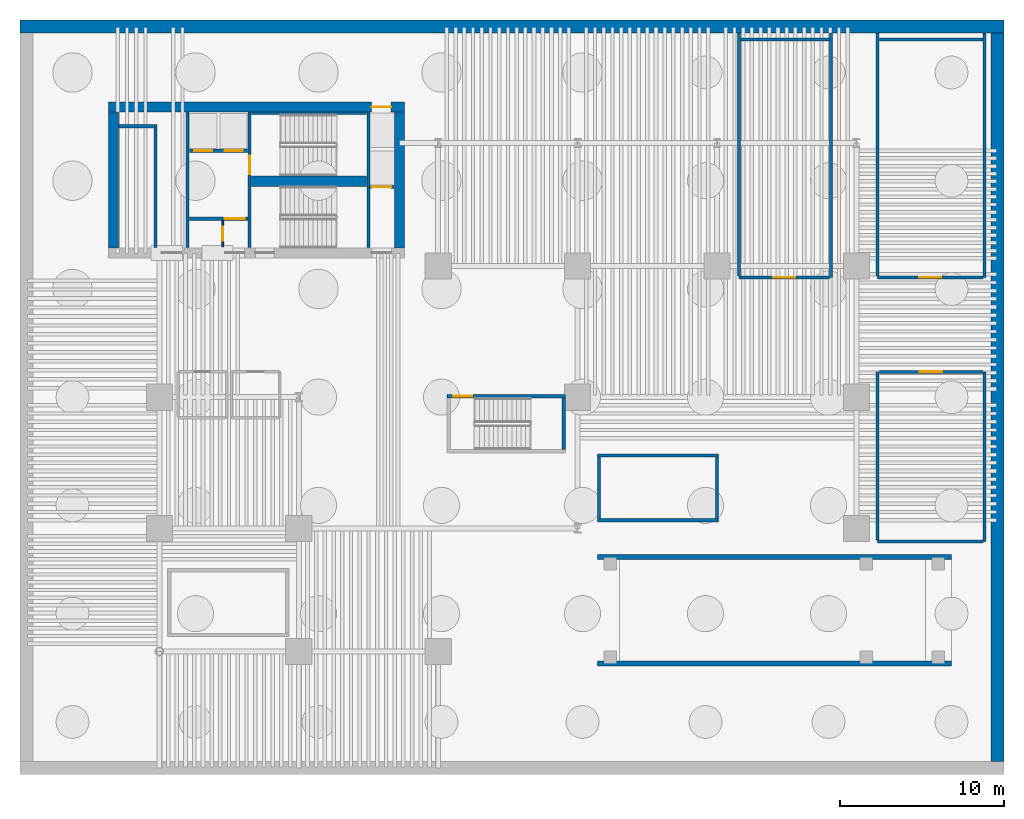
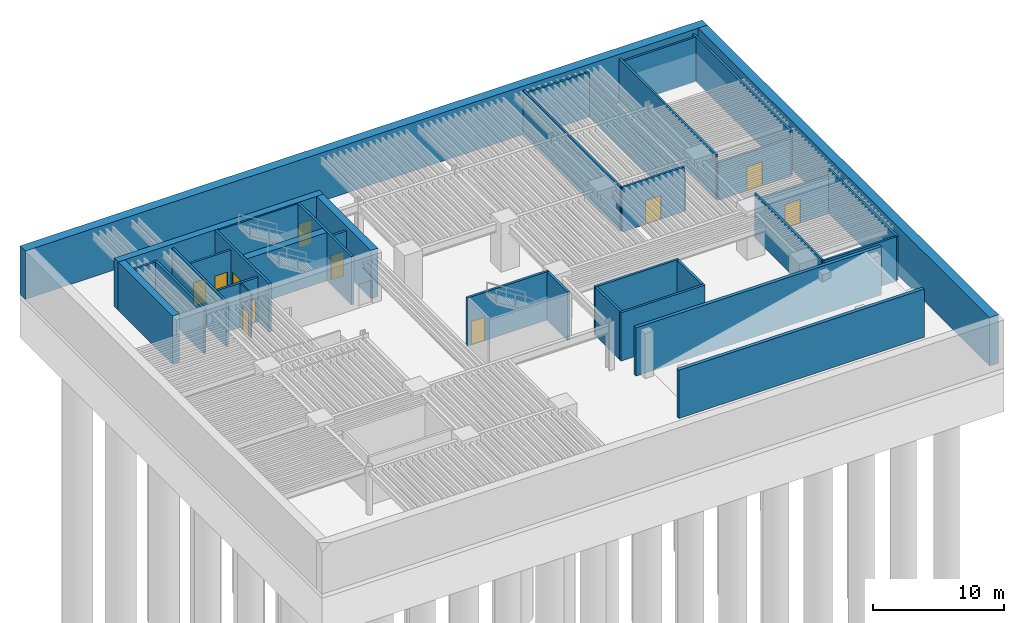
# One storey, part 5 of 11: 36 walls, 11 doors, 11 openings.
"""IFC4 building model written with IfcOpenShell, lengths in metres."""

from ifc_helpers import new_model, si_unit, direction, frame, frame_2d, origin, place, context, subcontext, project, spatial, rectangle, extrude, material, layer, layer_set, type_object, element, fill, save


model = new_model("IFC4")

# Units and contexts
model_context = context("Model", 3, precision=1e-05, world=origin(), true_north=direction((0.0, 1.0)))
body_context = subcontext(model_context, "Body", "Model", "MODEL_VIEW")
ifc_project = project(units=[si_unit("LENGTHUNIT", "METRE"), si_unit("AREAUNIT", "SQUARE_METRE"), si_unit("VOLUMEUNIT", "CUBIC_METRE"), si_unit("PLANEANGLEUNIT", "RADIAN"), si_unit("MASSUNIT", "GRAM", prefix="KILO")], contexts=[model_context])

# Site, building, storey
site_placement = place(None, origin())
site = spatial("IfcSite", under=ifc_project, at=site_placement, CompositionType="ELEMENT")
building_placement = place(site_placement, origin())
building = spatial("IfcBuilding", under=site, at=building_placement, Name="Caeloran Harvest Quay", CompositionType="ELEMENT")
storey_placement = place(building_placement, frame((0.0, 0.0, -18.0)))
storey = spatial("IfcBuildingStorey", under=building, at=storey_placement, Name="B04", CompositionType="ELEMENT", Elevation=-18.0)

# Wall, opening, door
ifc_material_1 = material(Name="Fire-Resisting Gypsum Core Riser Partition", Category="gypsum")
ifc_layer_1 = layer(ifc_material_1, 0.10009765625, Name="Fire-Resisting Gypsum Core Riser Partition")
ifc_layer_set_1 = layer_set([ifc_layer_1], Name="Fire-Resisting Gypsum Core Riser Partition")
wall_type_1 = type_object("IfcWallType", Name="INT-WALL-PW-100", PredefinedType="PARTITIONING", material=ifc_layer_set_1)
wall_1_placement = place(storey_placement, frame((12.360107421875, 32.159912109375, 0.0), z_axis=(0.0, 0.0, 1.0), x_axis=(0.0, 1.0, 0.0)))
wall_1 = element("IfcWall", 1, at=wall_1_placement, inside=storey, type_object=wall_type_1, Name="B04 Core Store Partition Wall", PredefinedType="PARTITIONING", context=body_context, shape_type="SweptSolid", body=[
    extrude(rectangle(XDim=1.6201171875, YDim=0.10009765625, at=frame_2d((0.81005859375, 0.0))), origin(), (0.0, 0.0, 1.0), 4.135009765625),
])
opening_1_placement = place(wall_1_placement, frame((0.3798828125, 0.0, 0.0)))
opening_1 = element("IfcOpeningElement", 2, at=opening_1_placement, cuts=wall_1, Name="Opening SV-01", PredefinedType="OPENING", context=body_context, shape_type="SweptSolid", body=[
    extrude(rectangle(XDim=0.85009765625, YDim=2.10009765625, at=frame_2d((0.425048828125, 1.050048828125))), frame((0.0, 0.06005859375, 0.0), z_axis=(0.0, -1.0, 0.0), x_axis=(1.0, 0.0, 0.0)), (0.0, 0.0, 1.0), 0.1201171875),
])
ifc_material_2 = material(Name="Galvanized Painted Steel", Category="steel")
door_type_1 = type_object("IfcDoorType", Name="INTDOOR-SV-01", OperationType="NOTDEFINED", PredefinedType="DOOR", material=ifc_material_2)
door_1_placement = place(opening_1_placement, origin())
door_1 = element("IfcDoor", 3, at=door_1_placement, inside=storey, type_object=door_type_1, Name="B04 Core Service Room Access Door", OperationType="SINGLE_SWING_RIGHT", OverallHeight=2.10009765625, OverallWidth=0.85009765625, PredefinedType="DOOR", context=body_context, shape_type="SweptSolid", body=[
    extrude(rectangle(XDim=0.85009765625, YDim=2.10009765625, at=frame_2d((0.425048828125, 1.050048828125))), frame((0.0, 0.02490234375, 0.0), z_axis=(0.0, -1.0, 0.0), x_axis=(1.0, 0.0, 0.0)), (0.0, 0.0, 1.0), 0.050048828125),
])
fill(opening_1, door_1)

# Walls
ifc_material_3 = material(Name="Autoclaved Aerated Concrete Blockwork", Category="masonry")
ifc_layer_2 = layer(ifc_material_3, 0.179931640625, Name="Autoclaved Aerated Concrete Blockwork")
ifc_layer_set_2 = layer_set([ifc_layer_2], Name="Autoclaved Aerated Concrete Blockwork")
wall_type_2 = type_object("IfcWallType", Name="INT-WALL-PW-180", PredefinedType="PARTITIONING", material=ifc_layer_set_2)
wall_2_placement = place(storey_placement, frame((58.800048828125, 24.550048828125, 0.0), z_axis=(0.0, 0.0, 1.0), x_axis=(0.0, -1.0, 0.0)))
element("IfcWall", 4, at=wall_2_placement, inside=storey, type_object=wall_type_2, Name="Rainwater Harvesting Cistern and Greywater Tank Plant Partition Wall", PredefinedType="PARTITIONING", context=body_context, shape_type="SweptSolid", body=[
    extrude(rectangle(XDim=10.35009765625, YDim=0.179931640625, at=frame_2d((5.175048828125, 0.0))), origin(), (0.0, 0.0, 1.0), 4.135009765625),
])
wall_3_placement = place(storey_placement, frame((58.705078125, 14.199951171875, 0.0), z_axis=(0.0, 0.0, 1.0), x_axis=(-1.0, 0.0, 0.0)))
element("IfcWall", 5, at=wall_3_placement, inside=storey, type_object=wall_type_2, Name="Rainwater Harvesting Cistern and Greywater Tank Plant Partition Wall", PredefinedType="PARTITIONING", context=body_context, shape_type="SweptSolid", body=[
    extrude(rectangle(XDim=6.405029296875, YDim=0.179931640625, at=frame_2d((3.20263671875, 0.0))), origin(), (0.0, 0.0, 1.0), 4.135009765625),
])
wall_4_placement = place(storey_placement, frame((52.300048828125, 14.294921875, 0.0), z_axis=(0.0, 0.0, 1.0), x_axis=(0.0, 1.0, 0.0)))
element("IfcWall", 6, at=wall_4_placement, inside=storey, type_object=wall_type_2, Name="Rainwater Harvesting Cistern and Greywater Tank Plant Partition Wall", PredefinedType="PARTITIONING", context=body_context, shape_type="SweptSolid", body=[
    extrude(rectangle(XDim=10.255126953125, YDim=0.179931640625, at=frame_2d((5.12744140625, 0.0))), origin(), (0.0, 0.0, 1.0), 4.135009765625),
])

# Wall, opening, door
wall_5_placement = place(storey_placement, frame((52.39501953125, 24.550048828125, 0.0), z_axis=(0.0, 0.0, 1.0), x_axis=(1.0, 0.0, 0.0)))
wall_5 = element("IfcWall", 7, at=wall_5_placement, inside=storey, type_object=wall_type_2, Name="Rainwater Harvesting Cistern and Greywater Tank Plant Partition Wall", PredefinedType="PARTITIONING", context=body_context, shape_type="SweptSolid", body=[
    extrude(rectangle(XDim=6.31005859375, YDim=0.179931640625, at=frame_2d((3.155029296875, 0.0))), origin(), (0.0, 0.0, 1.0), 3.52001953125),
])
opening_2_placement = place(wall_5_placement, frame((2.47998046875, 0.0, 0.0)))
opening_2 = element("IfcOpeningElement", 8, at=opening_2_placement, cuts=wall_5, Name="Opening ID-02", PredefinedType="OPENING", context=body_context, shape_type="SweptSolid", body=[
    extrude(rectangle(XDim=1.35009765625, YDim=2.199951171875, at=frame_2d((0.675048828125, 1.10009765625))), frame((0.0, 0.10009765625, 0.0), z_axis=(0.0, -1.0, 0.0), x_axis=(1.0, 0.0, 0.0)), (0.0, 0.0, 1.0), 0.199951171875),
])
ifc_material_4 = material(Name="Powder-Coated Steel Acoustic Leaf", Category="steel")
door_type_2 = type_object("IfcDoorType", Name="INTDOOR-ID-02", OperationType="NOTDEFINED", PredefinedType="DOOR", material=ifc_material_4)
door_2_placement = place(opening_2_placement, origin())
door_2 = element("IfcDoor", 9, at=door_2_placement, inside=storey, type_object=door_type_2, Name="Rainwater Harvesting Cistern and Greywater Tank Plant Access Door", OperationType="SINGLE_SWING_LEFT", OverallHeight=2.199951171875, OverallWidth=1.35009765625, PredefinedType="DOOR", context=body_context, shape_type="SweptSolid", body=[
    extrude(rectangle(XDim=1.35009765625, YDim=2.199951171875, at=frame_2d((0.675048828125, 1.10009765625))), frame((0.0, 0.02490234375, 0.0), z_axis=(0.0, -1.0, 0.0), x_axis=(1.0, 0.0, 0.0)), (0.0, 0.0, 1.0), 0.050048828125),
])
fill(opening_2, door_2)

# Wall
wall_6_placement = place(storey_placement, frame((58.800048828125, 45.195068359375, 0.0), z_axis=(0.0, 0.0, 1.0), x_axis=(0.0, -1.0, 0.0)))
element("IfcWall", 10, at=wall_6_placement, inside=storey, type_object=wall_type_2, Name="Geothermal Seawater Heat-Rejection Chiller Plant Partition Wall", PredefinedType="PARTITIONING", context=body_context, shape_type="SweptSolid", body=[
    extrude(rectangle(XDim=14.89501953125, YDim=0.179931640625, at=frame_2d((7.447509765625, 0.0))), origin(), (0.0, 0.0, 1.0), 4.135009765625),
])

# Wall, opening, door
wall_7_placement = place(storey_placement, frame((58.705078125, 30.300048828125, 0.0), z_axis=(0.0, 0.0, 1.0), x_axis=(-1.0, 0.0, 0.0)))
wall_7 = element("IfcWall", 11, at=wall_7_placement, inside=storey, type_object=wall_type_2, Name="Geothermal Seawater Heat-Rejection Chiller Plant Partition Wall", PredefinedType="PARTITIONING", context=body_context, shape_type="SweptSolid", body=[
    extrude(rectangle(XDim=6.405029296875, YDim=0.179931640625, at=frame_2d((3.20263671875, 0.0))), origin(), (0.0, 0.0, 1.0), 3.52001953125),
])
opening_3_placement = place(wall_7_placement, frame((2.527587890625, 0.0, 0.0)))
opening_3 = element("IfcOpeningElement", 12, at=opening_3_placement, cuts=wall_7, Name="Opening ID-02", PredefinedType="OPENING", context=body_context, shape_type="SweptSolid", body=[
    extrude(rectangle(XDim=1.35009765625, YDim=2.199951171875, at=frame_2d((0.675048828125, 1.10009765625))), frame((0.0, 0.10009765625, 0.0), z_axis=(0.0, -1.0, 0.0), x_axis=(1.0, 0.0, 0.0)), (0.0, 0.0, 1.0), 0.199951171875),
])
door_3_placement = place(opening_3_placement, origin())
door_3 = element("IfcDoor", 13, at=door_3_placement, inside=storey, type_object=door_type_2, Name="Geothermal Seawater Heat-Rejection Chiller Plant Access Door", OperationType="SINGLE_SWING_RIGHT", OverallHeight=2.199951171875, OverallWidth=1.35009765625, PredefinedType="DOOR", context=body_context, shape_type="SweptSolid", body=[
    extrude(rectangle(XDim=1.35009765625, YDim=2.199951171875, at=frame_2d((0.675048828125, 1.10009765625))), frame((0.0, 0.02490234375, 0.0), z_axis=(0.0, -1.0, 0.0), x_axis=(1.0, 0.0, 0.0)), (0.0, 0.0, 1.0), 0.050048828125),
])
fill(opening_3, door_3)

# Walls
wall_8_placement = place(storey_placement, frame((52.300048828125, 30.39501953125, 0.0), z_axis=(0.0, 0.0, 1.0), x_axis=(0.0, 1.0, 0.0)))
element("IfcWall", 14, at=wall_8_placement, inside=storey, type_object=wall_type_2, Name="Geothermal Seawater Heat-Rejection Chiller Plant Partition Wall", PredefinedType="PARTITIONING", context=body_context, shape_type="SweptSolid", body=[
    extrude(rectangle(XDim=14.800048828125, YDim=0.179931640625, at=frame_2d((7.39990234375, 0.0))), origin(), (0.0, 0.0, 1.0), 4.135009765625),
])
wall_9_placement = place(storey_placement, frame((52.39501953125, 44.800048828125, 0.0), z_axis=(0.0, 0.0, 1.0), x_axis=(1.0, 0.0, 0.0)))
element("IfcWall", 15, at=wall_9_placement, inside=storey, type_object=wall_type_2, Name="Geothermal Seawater Heat-Rejection Chiller Plant Partition Wall", PredefinedType="PARTITIONING", context=body_context, shape_type="SweptSolid", body=[
    extrude(rectangle(XDim=6.31005859375, YDim=0.179931640625, at=frame_2d((3.155029296875, 0.0))), origin(), (0.0, 0.0, 1.0), 4.135009765625),
])
wall_10_placement = place(storey_placement, frame((49.449951171875, 45.195068359375, 0.0), z_axis=(0.0, 0.0, 1.0), x_axis=(0.0, -1.0, 0.0)))
element("IfcWall", 16, at=wall_10_placement, inside=storey, type_object=wall_type_2, Name="HV Main Transformer and Switchboard Hall Partition Wall", PredefinedType="PARTITIONING", context=body_context, shape_type="SweptSolid", body=[
    extrude(rectangle(XDim=14.89501953125, YDim=0.179931640625, at=frame_2d((7.447509765625, 0.0))), origin(), (0.0, 0.0, 1.0), 3.52001953125),
])

# Wall, opening, door
wall_11_placement = place(storey_placement, frame((49.35498046875, 30.300048828125, 0.0), z_axis=(0.0, 0.0, 1.0), x_axis=(-1.0, 0.0, 0.0)))
wall_11 = element("IfcWall", 17, at=wall_11_placement, inside=storey, type_object=wall_type_2, Name="HV Main Transformer and Switchboard Hall Partition Wall", PredefinedType="PARTITIONING", context=body_context, shape_type="SweptSolid", body=[
    extrude(rectangle(XDim=5.5048828125, YDim=0.179931640625, at=frame_2d((2.75244140625, 0.0))), origin(), (0.0, 0.0, 1.0), 4.135009765625),
])
opening_4_placement = place(wall_11_placement, frame((2.077392578125, 0.0, 0.0)))
opening_4 = element("IfcOpeningElement", 18, at=opening_4_placement, cuts=wall_11, Name="Opening ID-02", PredefinedType="OPENING", context=body_context, shape_type="SweptSolid", body=[
    extrude(rectangle(XDim=1.35009765625, YDim=2.199951171875, at=frame_2d((0.675048828125, 1.10009765625))), frame((0.0, 0.10009765625, 0.0), z_axis=(0.0, -1.0, 0.0), x_axis=(1.0, 0.0, 0.0)), (0.0, 0.0, 1.0), 0.199951171875),
])
door_4_placement = place(opening_4_placement, origin())
door_4 = element("IfcDoor", 19, at=door_4_placement, inside=storey, type_object=door_type_2, Name="HV Main Transformer and Switchboard Hall Access Door", OperationType="SINGLE_SWING_LEFT", OverallHeight=2.199951171875, OverallWidth=1.35009765625, PredefinedType="DOOR", context=body_context, shape_type="SweptSolid", body=[
    extrude(rectangle(XDim=1.35009765625, YDim=2.199951171875, at=frame_2d((0.675048828125, 1.10009765625))), frame((0.0, 0.02490234375, 0.0), z_axis=(0.0, -1.0, 0.0), x_axis=(1.0, 0.0, 0.0)), (0.0, 0.0, 1.0), 0.050048828125),
])
fill(opening_4, door_4)

# Walls
wall_12_placement = place(storey_placement, frame((43.85009765625, 30.39501953125, 0.0), z_axis=(0.0, 0.0, 1.0), x_axis=(0.0, 1.0, 0.0)))
element("IfcWall", 20, at=wall_12_placement, inside=storey, type_object=wall_type_2, Name="HV Main Transformer and Switchboard Hall Partition Wall", PredefinedType="PARTITIONING", context=body_context, shape_type="SweptSolid", body=[
    extrude(rectangle(XDim=14.800048828125, YDim=0.179931640625, at=frame_2d((7.39990234375, 0.0))), origin(), (0.0, 0.0, 1.0), 4.135009765625),
])
wall_13_placement = place(storey_placement, frame((43.945068359375, 44.800048828125, 0.0), z_axis=(0.0, 0.0, 1.0), x_axis=(1.0, 0.0, 0.0)))
element("IfcWall", 21, at=wall_13_placement, inside=storey, type_object=wall_type_2, Name="HV Main Transformer and Switchboard Hall Partition Wall", PredefinedType="PARTITIONING", context=body_context, shape_type="SweptSolid", body=[
    extrude(rectangle(XDim=5.409912109375, YDim=0.179931640625, at=frame_2d((2.705078125, 0.0))), origin(), (0.0, 0.0, 1.0), 4.135009765625),
])
ifc_material_5 = material(Name="Concrete C50/60", Category="concrete")
ifc_layer_3 = layer(ifc_material_5, 0.199951171875, Name="Concrete C50/60")
ifc_layer_set_3 = layer_set([ifc_layer_3], Name="Concrete C50/60")
wall_type_3 = type_object("IfcWallType", Name="INT-WALL-SW-200", PredefinedType="PARTITIONING", material=ifc_layer_set_3)
wall_14_placement = place(storey_placement, frame((8.260009765625, 32.1201171875, 0.0), z_axis=(0.0, 0.0, 1.0), x_axis=(0.0, 1.0, 0.0)))
element("IfcWall", 22, at=wall_14_placement, inside=storey, type_object=wall_type_3, Name="B04 Bank 3 Lift Shaft Wall", PredefinedType="PARTITIONING", context=body_context, shape_type="SweptSolid", body=[
    extrude(rectangle(XDim=7.5, YDim=0.199951171875, at=frame_2d((3.75, 0.0))), origin(), (0.0, 0.0, 1.0), 4.135009765625),
])
wall_15_placement = place(storey_placement, frame((6.02001953125, 39.52001953125, 0.0), z_axis=(0.0, 0.0, 1.0), x_axis=(1.0, 0.0, 0.0)))
element("IfcWall", 23, at=wall_15_placement, inside=storey, type_object=wall_type_3, Name="B04 Bank 3 Lift Shaft North End Wall", PredefinedType="PARTITIONING", context=body_context, shape_type="SweptSolid", body=[
    extrude(rectangle(XDim=2.119873046875, YDim=0.199951171875, at=frame_2d((1.06005859375, 0.0))), origin(), (0.0, 0.0, 1.0), 4.135009765625),
])
wall_16_placement = place(storey_placement, frame((10.219970703125, 32.1201171875, 0.0), z_axis=(0.0, 0.0, 1.0), x_axis=(0.0, 1.0, 0.0)))
element("IfcWall", 24, at=wall_16_placement, inside=storey, type_object=wall_type_3, Name="B04 Core Lobby Compartment Wall", PredefinedType="PARTITIONING", context=body_context, shape_type="SweptSolid", body=[
    extrude(rectangle(XDim=8.259765625, YDim=0.199951171875, at=frame_2d((4.1298828125, 0.0))), origin(), (0.0, 0.0, 1.0), 4.135009765625),
])

# Wall, openings, doors
wall_17_placement = place(storey_placement, frame((10.340087890625, 38.02001953125, 0.0), z_axis=(0.0, 0.0, 1.0), x_axis=(1.0, 0.0, 0.0)))
wall_17 = element("IfcWall", 25, at=wall_17_placement, inside=storey, type_object=wall_type_3, Name="B04 Firefighting Lift Shaft Wall", PredefinedType="PARTITIONING", context=body_context, shape_type="SweptSolid", body=[
    extrude(rectangle(XDim=3.539794921875, YDim=0.199951171875, at=frame_2d((1.77001953125, 0.0))), origin(), (0.0, 0.0, 1.0), 4.135009765625),
])
opening_5_placement = place(wall_17_placement, frame((0.284912109375, 0.0, 0.0)))
opening_5 = element("IfcOpeningElement", 26, at=opening_5_placement, cuts=wall_17, Name="Opening LD-01", PredefinedType="OPENING", context=body_context, shape_type="SweptSolid", body=[
    extrude(rectangle(XDim=1.10009765625, YDim=2.199951171875, at=frame_2d((0.550048828125, 1.10009765625))), frame((0.0, 0.10986328125, 0.0), z_axis=(0.0, -1.0, 0.0), x_axis=(1.0, 0.0, 0.0)), (0.0, 0.0, 1.0), 0.219970703125),
])
opening_6_placement = place(wall_17_placement, frame((2.135009765625, 0.0, 0.0)))
opening_6 = element("IfcOpeningElement", 27, at=opening_6_placement, cuts=wall_17, Name="Opening LD-01", PredefinedType="OPENING", context=body_context, shape_type="SweptSolid", body=[
    extrude(rectangle(XDim=1.10009765625, YDim=2.199951171875, at=frame_2d((0.550048828125, 1.10009765625))), frame((0.0, 0.10986328125, 0.0), z_axis=(0.0, -1.0, 0.0), x_axis=(1.0, 0.0, 0.0)), (0.0, 0.0, 1.0), 0.219970703125),
])
ifc_material_6 = material(Name="Stainless Steel Grade 316", Category="steel")
door_type_3 = type_object("IfcDoorType", Name="INTDOOR-LD-01", OperationType="NOTDEFINED", PredefinedType="DOOR", material=ifc_material_6)
door_5_placement = place(opening_5_placement, origin())
door_5 = element("IfcDoor", 28, at=door_5_placement, inside=storey, type_object=door_type_3, Name="Lift FF-1 Sliding Landing Door (B04)", OperationType="DOUBLE_DOOR_SLIDING", OverallHeight=2.199951171875, OverallWidth=1.10009765625, PredefinedType="DOOR", context=body_context, shape_type="SweptSolid", body=[
    extrude(rectangle(XDim=1.10009765625, YDim=2.199951171875, at=frame_2d((0.550048828125, 1.10009765625))), frame((0.0, 0.02490234375, 0.0), z_axis=(0.0, -1.0, 0.0), x_axis=(1.0, 0.0, 0.0)), (0.0, 0.0, 1.0), 0.050048828125),
])
fill(opening_5, door_5)
door_6_placement = place(opening_6_placement, origin())
door_6 = element("IfcDoor", 29, at=door_6_placement, inside=storey, type_object=door_type_3, Name="Lift FF-2 Sliding Landing Door (B04)", OperationType="DOUBLE_DOOR_SLIDING", OverallHeight=2.199951171875, OverallWidth=1.10009765625, PredefinedType="DOOR", context=body_context, shape_type="SweptSolid", body=[
    extrude(rectangle(XDim=1.10009765625, YDim=2.199951171875, at=frame_2d((0.550048828125, 1.10009765625))), frame((0.0, 0.02490234375, 0.0), z_axis=(0.0, -1.0, 0.0), x_axis=(1.0, 0.0, 0.0)), (0.0, 0.0, 1.0), 0.050048828125),
])
fill(opening_6, door_6)

# Wall, opening, door
wall_18_placement = place(storey_placement, frame((10.340087890625, 33.8798828125, 0.0), z_axis=(0.0, 0.0, 1.0), x_axis=(1.0, 0.0, 0.0)))
wall_18 = element("IfcWall", 30, at=wall_18_placement, inside=storey, type_object=wall_type_3, Name="B04 Firefighting Lift Lobby Enclosure Wall", PredefinedType="PARTITIONING", context=body_context, shape_type="SweptSolid", body=[
    extrude(rectangle(XDim=3.559814453125, YDim=0.199951171875, at=frame_2d((1.77978515625, 0.0))), origin(), (0.0, 0.0, 1.0), 4.135009765625),
])
opening_7_placement = place(wall_18_placement, frame((2.14990234375, 0.0, 0.0)))
opening_7 = element("IfcOpeningElement", 31, at=opening_7_placement, cuts=wall_18, Name="Opening FD-01", PredefinedType="OPENING", context=body_context, shape_type="SweptSolid", body=[
    extrude(rectangle(XDim=1.199951171875, YDim=2.199951171875, at=frame_2d((0.60009765625, 1.10009765625))), frame((0.0, 0.10986328125, 0.0), z_axis=(0.0, -1.0, 0.0), x_axis=(1.0, 0.0, 0.0)), (0.0, 0.0, 1.0), 0.219970703125),
])
ifc_material_7 = material(Name="Steel", Category="steel")
door_type_4 = type_object("IfcDoorType", Name="INTDOOR-FD-01", OperationType="NOTDEFINED", PredefinedType="DOOR", material=ifc_material_7)
door_7_placement = place(opening_7_placement, origin())
door_7 = element("IfcDoor", 32, at=door_7_placement, inside=storey, type_object=door_type_4, Name="B04 Firefighting Lift Lobby Smoke-Seal Fire Door", OperationType="SINGLE_SWING_LEFT", OverallHeight=2.199951171875, OverallWidth=1.199951171875, PredefinedType="DOOR", context=body_context, shape_type="SweptSolid", body=[
    extrude(rectangle(XDim=1.199951171875, YDim=2.199951171875, at=frame_2d((0.60009765625, 1.10009765625))), frame((0.0, 0.02490234375, 0.0), z_axis=(0.0, -1.0, 0.0), x_axis=(1.0, 0.0, 0.0)), (0.0, 0.0, 1.0), 0.050048828125),
])
fill(opening_7, door_7)

wall_19_placement = place(storey_placement, frame((21.300048828125, 35.820068359375, 0.0), z_axis=(0.0, 0.0, 1.0), x_axis=(1.0, 0.0, 0.0)))
wall_19 = element("IfcWall", 33, at=wall_19_placement, inside=storey, type_object=wall_type_3, Name="B04 Service Lift SV-2 Shaft Wall", PredefinedType="PARTITIONING", context=body_context, shape_type="SweptSolid", body=[
    extrude(rectangle(XDim=1.5, YDim=0.199951171875, at=frame_2d((0.75, 0.0))), origin(), (0.0, 0.0, 1.0), 4.135009765625),
])
opening_8_placement = place(wall_19_placement, frame((0.14501953125, 0.0, 0.0)))
opening_8 = element("IfcOpeningElement", 34, at=opening_8_placement, cuts=wall_19, Name="Opening LD-02", PredefinedType="OPENING", context=body_context, shape_type="SweptSolid", body=[
    extrude(rectangle(XDim=1.179931640625, YDim=2.25, at=frame_2d((0.58984375, 1.125))), frame((0.0, 0.10986328125, 0.0), z_axis=(0.0, -1.0, 0.0), x_axis=(1.0, 0.0, 0.0)), (0.0, 0.0, 1.0), 0.219970703125),
])
door_type_5 = type_object("IfcDoorType", Name="INTDOOR-LD-02", OperationType="NOTDEFINED", PredefinedType="DOOR", material=ifc_material_6)
door_8_placement = place(opening_8_placement, origin())
door_8 = element("IfcDoor", 35, at=door_8_placement, inside=storey, type_object=door_type_5, Name="Lift SV-2 Sliding Landing Door (B04)", OperationType="DOUBLE_DOOR_SLIDING", OverallHeight=2.25, OverallWidth=1.179931640625, PredefinedType="DOOR", context=body_context, shape_type="SweptSolid", body=[
    extrude(rectangle(XDim=1.179931640625, YDim=2.25, at=frame_2d((0.58984375, 1.125))), frame((0.0, 0.02490234375, 0.0), z_axis=(0.0, -1.0, 0.0), x_axis=(1.0, 0.0, 0.0)), (0.0, 0.0, 1.0), 0.050048828125),
])
fill(opening_8, door_8)

ifc_material_8 = material(Name="Concrete C80/95", Category="concrete")
ifc_layer_4 = layer(ifc_material_8, 0.60009765625, Name="Concrete C80/95")
ifc_layer_set_4 = layer_set([ifc_layer_4], Name="Concrete C80/95")
wall_type_4 = type_object("IfcWallType", Name="STR-WALL-CW-600", PredefinedType="SHEAR", material=ifc_layer_set_4)
wall_20_placement = place(storey_placement, frame((5.39990234375, 40.699951171875, 0.0), z_axis=(0.0, 0.0, 1.0), x_axis=(1.0, 0.0, 0.0)))
wall_20 = element("IfcWall", 36, at=wall_20_placement, inside=storey, type_object=wall_type_4, Name="B04 Rear Core Shear Wall N", PredefinedType="SHEAR", context=body_context, shape_type="SweptSolid", body=[
    extrude(rectangle(XDim=18.050048828125, YDim=0.60009765625, at=frame_2d((9.02490234375, 0.0))), origin(), (0.0, 0.0, 1.0), 4.5),
])
opening_9_placement = place(wall_20_placement, frame((16.044921875, 0.0, 0.0)))
opening_9 = element("IfcOpeningElement", 37, at=opening_9_placement, cuts=wall_20, Name="Opening LD-02", PredefinedType="OPENING", context=body_context, shape_type="SweptSolid", body=[
    extrude(rectangle(XDim=1.179931640625, YDim=2.25, at=frame_2d((0.58984375, 1.125))), frame((0.0, 0.31005859375, 0.0), z_axis=(0.0, -1.0, 0.0), x_axis=(1.0, 0.0, 0.0)), (0.0, 0.0, 1.0), 0.6201171875),
])
door_9_placement = place(opening_9_placement, origin())
door_9 = element("IfcDoor", 38, at=door_9_placement, inside=storey, type_object=door_type_5, Name="Lift SV-1 Sliding Landing Door (B04)", OperationType="DOUBLE_DOOR_SLIDING", OverallHeight=2.25, OverallWidth=1.179931640625, PredefinedType="DOOR", context=body_context, shape_type="SweptSolid", body=[
    extrude(rectangle(XDim=1.179931640625, YDim=2.25, at=frame_2d((0.58984375, 1.125))), frame((0.0, 0.02490234375, 0.0), z_axis=(0.0, -1.0, 0.0), x_axis=(1.0, 0.0, 0.0)), (0.0, 0.0, 1.0), 0.050048828125),
])
fill(opening_9, door_9)

# Walls
for number, where, z_axis, x_axis, name in (
    (39, (5.699951171875, 32.10009765625, 0.0), (0.0, 0.0, 1.0), (0.0, 1.0, 0.0), "B04 Rear Core Shear Wall W"),
    (40, (23.14990234375, 32.10009765625, 0.0), (0.0, 0.0, 1.0), (0.0, 1.0, 0.0), "B04 Rear Core Shear Wall E"),
):
    element("IfcWall", number, at=place(storey_placement, frame(where, z_axis=z_axis, x_axis=x_axis)), inside=storey, type_object=wall_type_4, Name=name, PredefinedType="SHEAR", context=body_context, shape_type="SweptSolid", body=[
        extrude(rectangle(XDim=8.2998046875, YDim=0.60009765625, at=frame_2d((4.14990234375, 0.0))), origin(), (0.0, 0.0, 1.0), 4.5),
    ])
ifc_material_9 = material(Name="Concrete C60/75", Category="concrete")
ifc_layer_5 = layer(ifc_material_9, 0.64990234375, Name="Concrete C60/75")
ifc_layer_set_5 = layer_set([ifc_layer_5], Name="Concrete C60/75")
wall_type_5 = type_object("IfcWallType", Name="STR-WALL-CW-650", PredefinedType="SHEAR", material=ifc_layer_set_5)
wall_21_placement = place(storey_placement, frame((14.1201171875, 36.175048828125, 0.0), z_axis=(0.0, 0.0, 1.0), x_axis=(1.0, 0.0, 0.0)))
element("IfcWall", 41, at=wall_21_placement, inside=storey, type_object=wall_type_5, Name="B04 Core Stairs Dividing Shear Wall", PredefinedType="SHEAR", context=body_context, shape_type="SweptSolid", body=[
    extrude(rectangle(XDim=7.009765625, YDim=0.64990234375, at=frame_2d((3.5048828125, 0.0))), origin(), (0.0, 0.0, 1.0), 4.5),
])
ifc_layer_6 = layer(ifc_material_9, 0.800048828125, Name="Concrete C60/75")
ifc_layer_set_6 = layer_set([ifc_layer_6], Name="Concrete C60/75")
wall_type_6 = type_object("IfcWallType", Name="STR-WALL-DW-800", PredefinedType="USERDEFINED", material=ifc_layer_set_6)
wall_22_placement = place(storey_placement, frame((0.0, 45.60009765625, 0.0), z_axis=(0.0, 0.0, 1.0), x_axis=(1.0, 0.0, 0.0)))
element("IfcWall", 42, at=wall_22_placement, inside=storey, type_object=wall_type_6, Name="B04 Basement Diaphragm Retaining Wall N 800 mm", ObjectType="RETAININGWALL", PredefinedType="USERDEFINED", context=body_context, shape_type="SweptSolid", body=[
    extrude(rectangle(XDim=60.0, YDim=0.800048828125, at=frame_2d((30.0, 0.0))), origin(), (0.0, 0.0, 1.0), 4.5),
])
wall_23_placement = place(storey_placement, frame((59.60009765625, 0.800048828125, 0.0), z_axis=(0.0, 0.0, 1.0), x_axis=(0.0, 1.0, 0.0)))
element("IfcWall", 43, at=wall_23_placement, inside=storey, type_object=wall_type_6, Name="B04 Basement Diaphragm Retaining Wall E 800 mm", ObjectType="RETAININGWALL", PredefinedType="USERDEFINED", context=body_context, shape_type="SweptSolid", body=[
    extrude(rectangle(XDim=44.39990234375, YDim=0.800048828125, at=frame_2d((22.199951171875, 0.0))), origin(), (0.0, 0.0, 1.0), 4.5),
])
ifc_layer_7 = layer(ifc_material_9, 0.300048828125, Name="Concrete C60/75")
ifc_layer_set_7 = layer_set([ifc_layer_7], Name="Concrete C60/75")
wall_type_7 = type_object("IfcWallType", Name="STR-WALL-RW-300", PredefinedType="SOLIDWALL", material=ifc_layer_set_7)
for number, where, z_axis, x_axis, name in (
    (44, (35.199951171875, 6.75, 0.0), (0.0, 0.0, 1.0), (1.0, 0.0, 0.0), "B04 Vehicle Ramp Enclosure Wall S"),
    (45, (35.199951171875, 13.25, 0.0), (0.0, 0.0, 1.0), (1.0, 0.0, 0.0), "B04 Vehicle Ramp Enclosure Wall N"),
):
    element("IfcWall", number, at=place(storey_placement, frame(where, z_axis=z_axis, x_axis=x_axis)), inside=storey, type_object=wall_type_7, Name=name, PredefinedType="SOLIDWALL", context=body_context, shape_type="SweptSolid", body=[
        extrude(rectangle(XDim=21.60009765625, YDim=0.300048828125, at=frame_2d((10.800048828125, 0.0))), origin(), (0.0, 0.0, 1.0), 4.5),
    ])
ifc_layer_8 = layer(ifc_material_9, 0.139892578125, Name="Concrete C60/75")
ifc_layer_set_8 = layer_set([ifc_layer_8], Name="Concrete C60/75")
wall_type_8 = type_object("IfcWallType", Name="STR-WALL-SW-140", PredefinedType="SHEAR", material=ifc_layer_set_8)
wall_24_placement = place(storey_placement, frame((14.1201171875, 40.320068359375, 0.0), z_axis=(0.0, 0.0, 1.0), x_axis=(1.0, 0.0, 0.0)))
element("IfcWall", 46, at=wall_24_placement, inside=storey, type_object=wall_type_8, Name="B04 Core Stair ST-C1 North Bearing Shear Wall", PredefinedType="SHEAR", context=body_context, shape_type="SweptSolid", body=[
    extrude(rectangle(XDim=7.009765625, YDim=0.139892578125, at=frame_2d((3.5048828125, 0.0))), origin(), (0.0, 0.0, 1.0), 4.5),
])

# Wall, opening, door
ifc_layer_9 = layer(ifc_material_9, 0.199951171875, Name="Concrete C60/75")
ifc_layer_set_9 = layer_set([ifc_layer_9], Name="Concrete C60/75")
wall_type_9 = type_object("IfcWallType", Name="STR-WALL-SW-200", PredefinedType="SHEAR", material=ifc_layer_set_9)
wall_25_placement = place(storey_placement, frame((14.0, 32.1201171875, 0.0), z_axis=(0.0, 0.0, 1.0), x_axis=(0.0, 1.0, 0.0)))
wall_25 = element("IfcWall", 47, at=wall_25_placement, inside=storey, type_object=wall_type_9, Name="B04 Core Stair Shaft West Shear Wall", PredefinedType="SHEAR", context=body_context, shape_type="SweptSolid", body=[
    extrude(rectangle(XDim=8.259765625, YDim=0.199951171875, at=frame_2d((4.1298828125, 0.0))), origin(), (0.0, 0.0, 1.0), 4.5),
])
opening_10_placement = place(wall_25_placement, frame((4.4599609375, 0.0, 0.0)))
opening_10 = element("IfcOpeningElement", 48, at=opening_10_placement, cuts=wall_25, Name="Opening SD-01", PredefinedType="OPENING", context=body_context, shape_type="SweptSolid", body=[
    extrude(rectangle(XDim=1.14990234375, YDim=2.199951171875, at=frame_2d((0.574951171875, 1.10009765625))), frame((0.0, 0.10986328125, 0.0), z_axis=(0.0, -1.0, 0.0), x_axis=(1.0, 0.0, 0.0)), (0.0, 0.0, 1.0), 0.219970703125),
])
door_type_6 = type_object("IfcDoorType", Name="INTDOOR-SD-01", OperationType="NOTDEFINED", PredefinedType="DOOR", material=ifc_material_7)
door_10_placement = place(opening_10_placement, origin())
door_10 = element("IfcDoor", 49, at=door_10_placement, inside=storey, type_object=door_type_6, Name="B04 Protected Stair ST-C1 Exit Door", OperationType="SINGLE_SWING_LEFT", OverallHeight=2.199951171875, OverallWidth=1.14990234375, PredefinedType="DOOR", context=body_context, shape_type="SweptSolid", body=[
    extrude(rectangle(XDim=1.14990234375, YDim=2.199951171875, at=frame_2d((0.574951171875, 1.10009765625))), frame((0.0, 0.02490234375, 0.0), z_axis=(0.0, -1.0, 0.0), x_axis=(1.0, 0.0, 0.0)), (0.0, 0.0, 1.0), 0.050048828125),
])
fill(opening_10, door_10)

# Wall
wall_26_placement = place(storey_placement, frame((21.25, 32.1201171875, 0.0), z_axis=(0.0, 0.0, 1.0), x_axis=(0.0, 1.0, 0.0)))
element("IfcWall", 50, at=wall_26_placement, inside=storey, type_object=wall_type_9, Name="B04 Core Stair Shaft East Shear Wall", PredefinedType="SHEAR", context=body_context, shape_type="SweptSolid", body=[
    extrude(rectangle(XDim=8.259765625, YDim=0.199951171875, at=frame_2d((4.1298828125, 0.0))), origin(), (0.0, 0.0, 1.0), 4.5),
])

# Wall, opening, door
wall_27_placement = place(storey_placement, frame((26.050048828125, 23.050048828125, 0.0), z_axis=(0.0, 0.0, 1.0), x_axis=(1.0, 0.0, 0.0)))
wall_27 = element("IfcWall", 51, at=wall_27_placement, inside=storey, type_object=wall_type_9, Name="B04 Stair ST-W1 N RC Shaft Shear Wall", PredefinedType="SHEAR", context=body_context, shape_type="SweptSolid", body=[
    extrude(rectangle(XDim=7.199951171875, YDim=0.199951171875, at=frame_2d((3.60009765625, 0.0))), origin(), (0.0, 0.0, 1.0), 4.5),
])
opening_11_placement = place(wall_27_placement, frame((0.3798828125, 0.0, 0.0)))
opening_11 = element("IfcOpeningElement", 52, at=opening_11_placement, cuts=wall_27, Name="Opening SD-01", PredefinedType="OPENING", context=body_context, shape_type="SweptSolid", body=[
    extrude(rectangle(XDim=1.14990234375, YDim=2.199951171875, at=frame_2d((0.574951171875, 1.10009765625))), frame((0.0, 0.10986328125, 0.0), z_axis=(0.0, -1.0, 0.0), x_axis=(1.0, 0.0, 0.0)), (0.0, 0.0, 1.0), 0.219970703125),
])
door_11_placement = place(opening_11_placement, origin())
door_11 = element("IfcDoor", 53, at=door_11_placement, inside=storey, type_object=door_type_6, Name="B04 Protected Exit Stair ST-W1 Fire Door", OperationType="SINGLE_SWING_RIGHT", OverallHeight=2.199951171875, OverallWidth=1.14990234375, PredefinedType="DOOR", context=body_context, shape_type="SweptSolid", body=[
    extrude(rectangle(XDim=1.14990234375, YDim=2.199951171875, at=frame_2d((0.574951171875, 1.10009765625))), frame((0.0, 0.02490234375, 0.0), z_axis=(0.0, -1.0, 0.0), x_axis=(1.0, 0.0, 0.0)), (0.0, 0.0, 1.0), 0.050048828125),
])
fill(opening_11, door_11)

# Walls
wall_28_placement = place(storey_placement, frame((33.14990234375, 19.81005859375, 0.0), z_axis=(0.0, 0.0, 1.0), x_axis=(0.0, 1.0, 0.0)))
element("IfcWall", 54, at=wall_28_placement, inside=storey, type_object=wall_type_9, Name="B04 Stair ST-W1 E RC Shaft Shear Wall", PredefinedType="SHEAR", context=body_context, shape_type="SweptSolid", body=[
    extrude(rectangle(XDim=3.1298828125, YDim=0.199951171875, at=frame_2d((1.56494140625, 0.0))), origin(), (0.0, 0.0, 1.0), 4.5),
])
for number, where, z_axis, x_axis, name in (
    (55, (35.199951171875, 15.5, 0.0), (0.0, 0.0, 1.0), (1.0, 0.0, 0.0), "B04 Stair ST-P2 S RC Shaft Shear Wall"),
    (56, (35.199951171875, 19.449951171875, 0.0), (0.0, 0.0, 1.0), (1.0, 0.0, 0.0), "B04 Stair ST-P2 N RC Shaft Shear Wall"),
):
    element("IfcWall", number, at=place(storey_placement, frame(where, z_axis=z_axis, x_axis=x_axis)), inside=storey, type_object=wall_type_9, Name=name, PredefinedType="SHEAR", context=body_context, shape_type="SweptSolid", body=[
        extrude(rectangle(XDim=7.400146484375, YDim=0.199951171875, at=frame_2d((3.7001953125, 0.0))), origin(), (0.0, 0.0, 1.0), 4.5),
    ])
for number, where, z_axis, x_axis, name in (
    (57, (35.300048828125, 15.610107421875, 0.0), (0.0, 0.0, 1.0), (0.0, 1.0, 0.0), "B04 Stair ST-P2 W RC Shaft Shear Wall"),
    (58, (42.5, 15.610107421875, 0.0), (0.0, 0.0, 1.0), (0.0, 1.0, 0.0), "B04 Stair ST-P2 E RC Shaft Shear Wall"),
):
    element("IfcWall", number, at=place(storey_placement, frame(where, z_axis=z_axis, x_axis=x_axis)), inside=storey, type_object=wall_type_9, Name=name, PredefinedType="SHEAR", context=body_context, shape_type="SweptSolid", body=[
        extrude(rectangle(XDim=3.72998046875, YDim=0.199951171875, at=frame_2d((1.864990234375, 0.0))), origin(), (0.0, 0.0, 1.0), 4.5),
    ])

save(model, "model.ifc")
